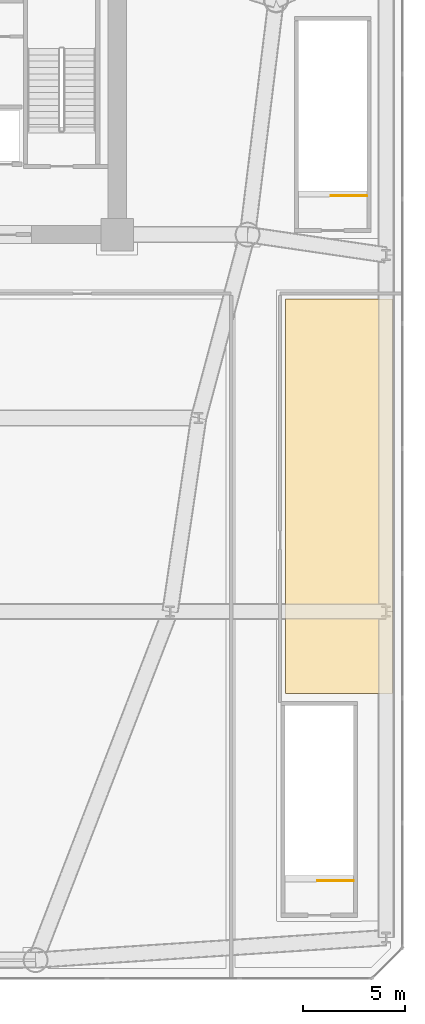
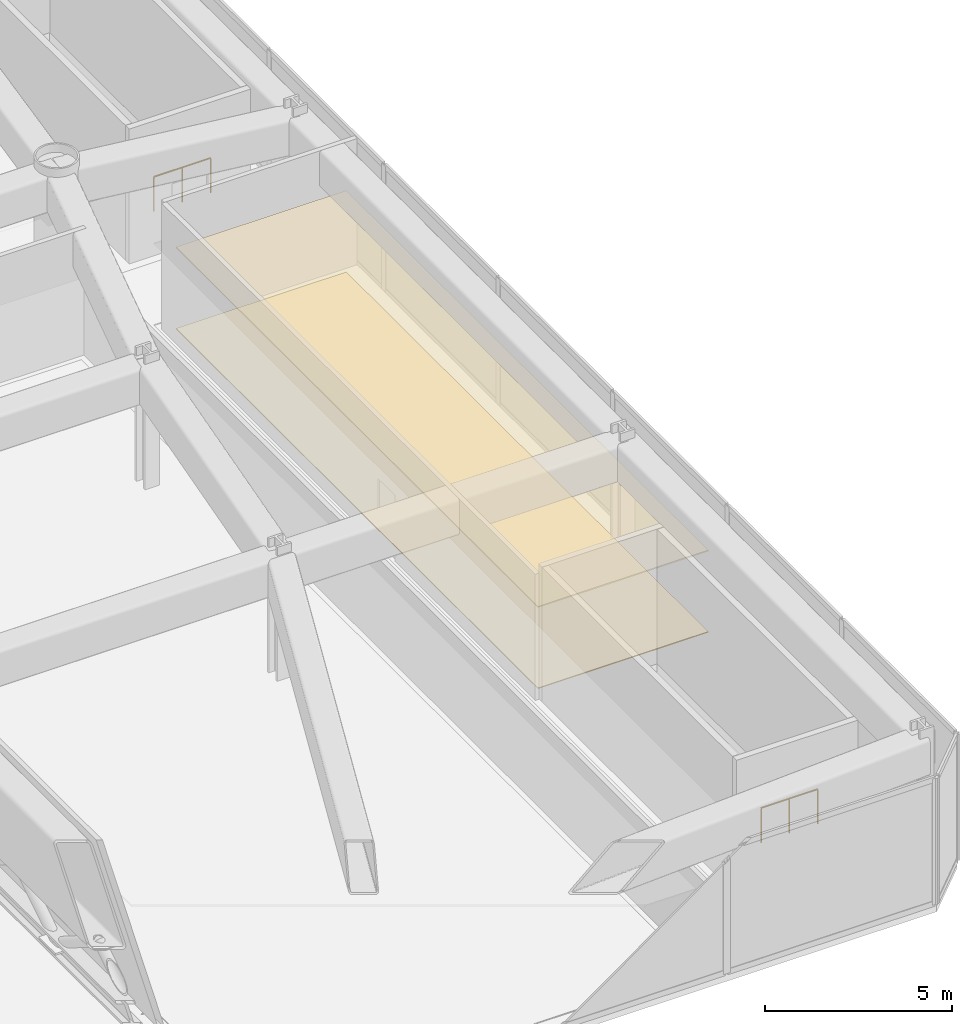
# One storey, part 21 of 21: 2 coverings, 2 railings.
"""IFC4 building model written with IfcOpenShell, lengths in metres."""

from ifc_helpers import new_model, si_unit, direction, frame, origin, origin_2d, place, context, subcontext, project, spatial, polyline, circle, outline, extrude, material, layer, layer_set, type_object, element, save


model = new_model("IFC4")

# Units and contexts
model_context = context("Model", 3, precision=1e-05, world=origin(), true_north=direction((0.0, 1.0)))
body_context = subcontext(model_context, "Body", "Model", "MODEL_VIEW")
ifc_project = project(units=[si_unit("LENGTHUNIT", "METRE"), si_unit("AREAUNIT", "SQUARE_METRE"), si_unit("VOLUMEUNIT", "CUBIC_METRE"), si_unit("PLANEANGLEUNIT", "RADIAN"), si_unit("MASSUNIT", "GRAM", prefix="KILO")], contexts=[model_context])

# Site, building, storey
site_placement = place(None, origin())
site = spatial("IfcSite", under=ifc_project, at=site_placement, CompositionType="ELEMENT")
building_placement = place(site_placement, origin())
building = spatial("IfcBuilding", under=site, at=building_placement, Name="Vaeldorn Concourse Tower", CompositionType="ELEMENT")
storey_placement = place(building_placement, frame((0.0, 0.0, 14.39990234375)))
storey = spatial("IfcBuildingStorey", under=building, at=storey_placement, Name="L03", CompositionType="ELEMENT", Elevation=14.39990234375)

# Coverings
ifc_material_1 = material(Name="Acoustic Mineral Fibre Board", Category="gypsum")
ifc_layer_1 = layer(ifc_material_1, 0.0400390625)
ifc_layer_set_1 = layer_set([ifc_layer_1], Name="Acoustic Mineral Fibre Board")
covering_type_1 = type_object("IfcCoveringType", Name="COV-CEIL-ACOUSTIC", PredefinedType="CEILING", material=ifc_layer_set_1)
covering_1_placement = place(storey_placement, frame((0.0, 0.0, 2.650146484375)))
element("IfcCovering", 1, at=covering_1_placement, inside=storey, type_object=covering_type_1, Name="Suspended Acoustic Ceiling L03-8", PredefinedType="CEILING", context=body_context, shape_type="SweptSolid", body=[
    extrude(outline(polyline([(62.260009765625, 33.340087890625), (67.52001953125, 33.340087890625), (67.52001953125, 13.97998046875), (62.260009765625, 13.97998046875), (62.260009765625, 33.340087890625)])), origin(), (0.0, 0.0, 1.0), 0.0400390625),
])
ifc_material_2 = material(Name="Honed Limestone Terrazzo Flooring", Category="masonry")
ifc_layer_2 = layer(ifc_material_2, 0.0400390625)
ifc_layer_set_2 = layer_set([ifc_layer_2], Name="Honed Limestone Terrazzo Flooring")
covering_type_2 = type_object("IfcCoveringType", Name="COV-FLOOR-STONE", PredefinedType="FLOORING", material=ifc_layer_set_2)
covering_2_placement = place(storey_placement, origin())
element("IfcCovering", 2, at=covering_2_placement, inside=storey, type_object=covering_type_2, Name="Floor Finish Covering L03-8", PredefinedType="FLOORING", context=body_context, shape_type="SweptSolid", body=[
    extrude(outline(polyline([(62.260009765625, 33.340087890625), (67.52001953125, 33.340087890625), (67.52001953125, 13.97998046875), (62.260009765625, 13.97998046875), (62.260009765625, 33.340087890625)])), origin(), (0.0, 0.0, 1.0), 0.030029296875),
])

# Railings
ifc_material_3 = material(Name="Anodised Bronze Aluminium", Category="aluminium")
railing_type = type_object("IfcRailingType", Name="RL-STAIR-GUARD", PredefinedType="GUARDRAIL", material=ifc_material_3)
for number, where, name in (
    (3, (66.25, 38.39990234375, 0.0), "L03 ST-4 top well guard 1"),
    (4, (65.60009765625, 4.800048828125, 0.0), "L03 ST-5 top well guard 1"),
):
    element("IfcRailing", number, at=place(storey_placement, frame(where)), inside=storey, type_object=railing_type, Name=name, PredefinedType="GUARDRAIL", context=body_context, shape_type="SweptSolid", body=[
        extrude(circle(Radius=0.02392578125, at=origin_2d()), frame((0.0, 0.0, 1.1259765625), z_axis=(-1.0, 0.0, 0.0), x_axis=(0.0, -1.0, 0.0)), (0.0, 0.0, 1.0), 1.75),
        extrude(circle(Radius=0.02099609375, at=origin_2d()), origin(), (0.0, 0.0, 1.0), 1.101806640625),
        extrude(circle(Radius=0.02099609375, at=origin_2d()), frame((-0.875, 0.0, 0.0)), (0.0, 0.0, 1.0), 1.101806640625),
        extrude(circle(Radius=0.02099609375, at=origin_2d()), frame((-1.75, 0.0, 0.0)), (0.0, 0.0, 1.0), 1.101806640625),
    ])

save(model, "model.ifc")
